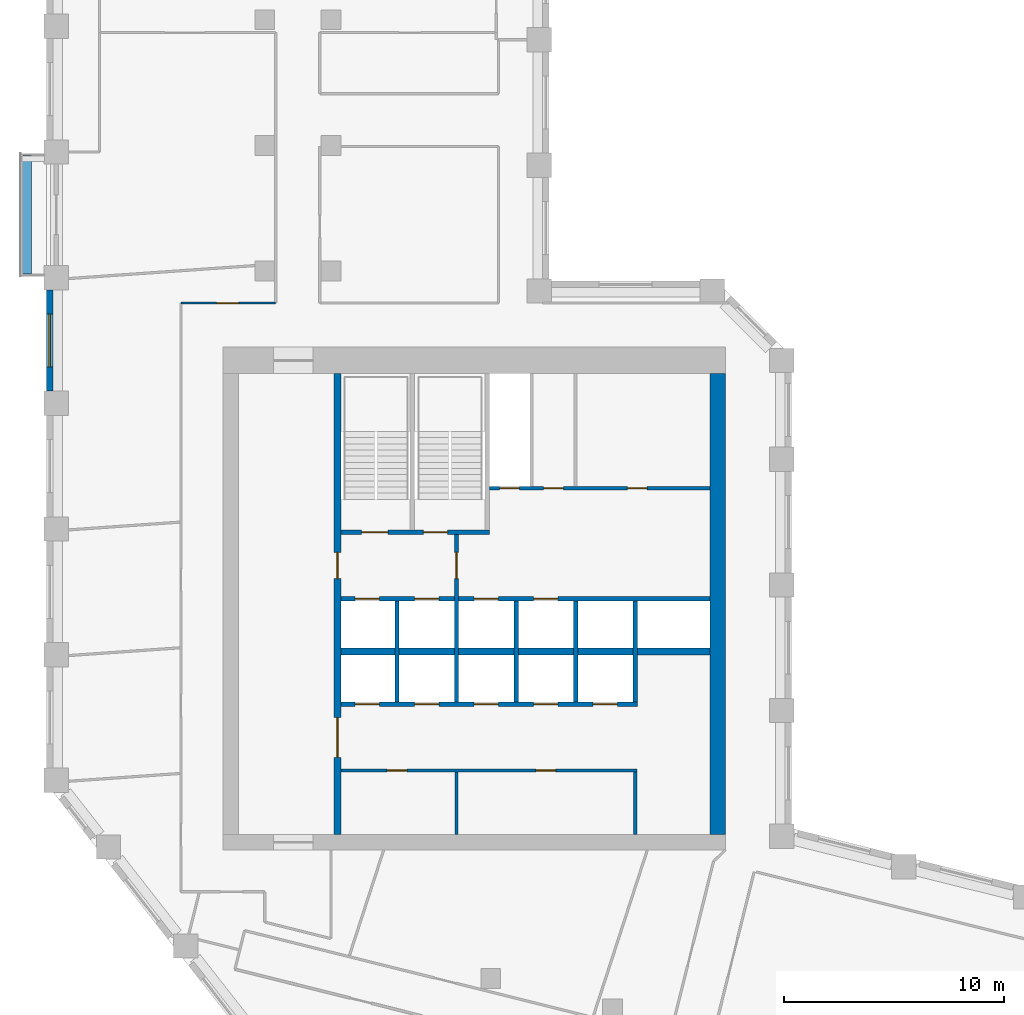
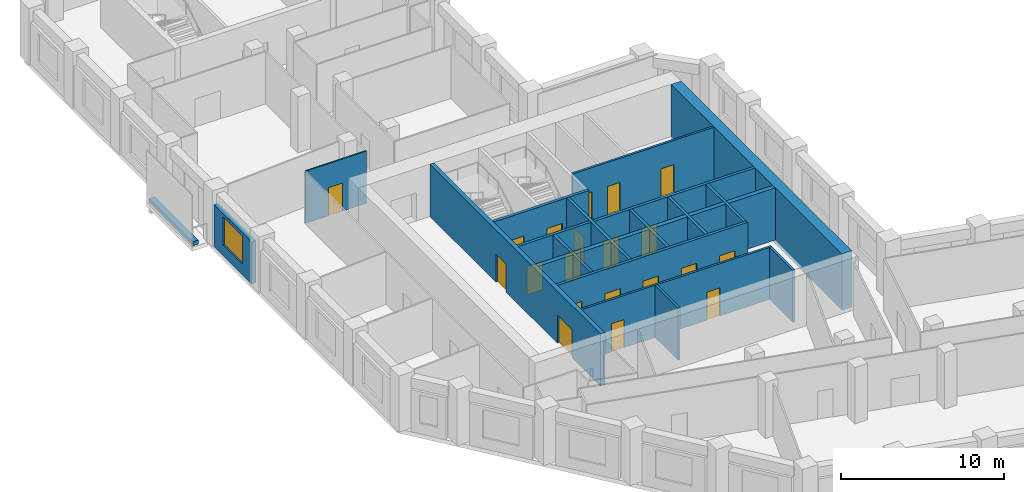
# One storey, part 5 of 10: 20 doors, 18 walls, 1 window, 21 openings.
"""IFC4 building model written with IfcOpenShell, lengths in metres."""

from ifc_helpers import new_model, si_unit, direction, frame, frame_2d, origin, place, context, subcontext, project, spatial, rectangle, extrude, material, layer, layer_set, type_object, element, fill, save


model = new_model("IFC4")

# Units and contexts
model_context = context("Model", 3, precision=1e-05, world=origin(), true_north=direction((0.0, 1.0)))
body_context = subcontext(model_context, "Body", "Model", "MODEL_VIEW")
ifc_project = project(units=[si_unit("LENGTHUNIT", "METRE"), si_unit("AREAUNIT", "SQUARE_METRE"), si_unit("VOLUMEUNIT", "CUBIC_METRE"), si_unit("PLANEANGLEUNIT", "RADIAN"), si_unit("MASSUNIT", "GRAM", prefix="KILO")], contexts=[model_context])

# Site, building, storey
site_placement = place(None, origin())
site = spatial("IfcSite", under=ifc_project, at=site_placement, CompositionType="ELEMENT")
building_placement = place(site_placement, origin())
building = spatial("IfcBuilding", under=site, at=building_placement, Name="Meshkara Civic Tower", CompositionType="ELEMENT")
storey_placement = place(building_placement, frame((0.0, 0.0, 246.60009765625)))
storey = spatial("IfcBuildingStorey", under=building, at=storey_placement, Name="L56", CompositionType="ELEMENT", Elevation=246.60009765625)

# Wall, openings, doors
ifc_material_1 = material(Name="Blockwork", Category="masonry")
ifc_layer_1 = layer(ifc_material_1, 0.14990234375)
ifc_layer_set_1 = layer_set([ifc_layer_1], Name="Core partition 150")
wall_type_1 = type_object("IfcWallType", Name="Core partition 150", PredefinedType="PARTITIONING", material=ifc_layer_set_1)
wall_1_placement = place(storey_placement, frame((13.35009765625, 17.699951171875, 0.0), z_axis=(0.0, 0.0, 1.0), x_axis=(1.0, 0.0, 0.0)))
wall_1 = element("IfcWall", 1, at=wall_1_placement, inside=storey, type_object=wall_type_1, Name="L56-C005", PredefinedType="PARTITIONING", context=body_context, shape_type="SweptSolid", body=[
    extrude(rectangle(XDim=13.4248046875, YDim=0.14990234375, at=frame_2d((6.71240234375, 0.0))), origin(), (0.0, 0.0, 1.0), 3.89990234375),
])
opening_1_placement = place(wall_1_placement, frame((2.10009765625, 0.0, 0.0)))
opening_1 = element("IfcOpeningElement", 2, at=opening_1_placement, cuts=wall_1, Name="Opening L56-K010", PredefinedType="OPENING", context=body_context, shape_type="SweptSolid", body=[
    extrude(rectangle(XDim=0.89990234375, YDim=2.10009765625, at=frame_2d((0.449951171875, 1.050048828125))), frame((0.0, 0.0849609375, 0.0), z_axis=(0.0, -1.0, 0.0), x_axis=(1.0, 0.0, 0.0)), (0.0, 0.0, 1.0), 0.169921875),
])
opening_2_placement = place(wall_1_placement, frame((8.85009765625, 0.0, 0.0)))
opening_2 = element("IfcOpeningElement", 3, at=opening_2_placement, cuts=wall_1, Name="Opening L56-K011", PredefinedType="OPENING", context=body_context, shape_type="SweptSolid", body=[
    extrude(rectangle(XDim=0.89990234375, YDim=2.10009765625, at=frame_2d((0.449951171875, 1.050048828125))), frame((0.0, 0.0849609375, 0.0), z_axis=(0.0, -1.0, 0.0), x_axis=(1.0, 0.0, 0.0)), (0.0, 0.0, 1.0), 0.169921875),
])
ifc_material_2 = material(Name="Timber door leaf in steel frame", Category="steel")
door_type_1 = type_object("IfcDoorType", Name="Core room door 900", OperationType="SINGLE_SWING_LEFT", PredefinedType="DOOR", material=ifc_material_2)
door_1_placement = place(opening_1_placement, origin())
door_1 = element("IfcDoor", 4, at=door_1_placement, inside=storey, type_object=door_type_1, Name="L56-K010", OperationType="SINGLE_SWING_LEFT", OverallHeight=2.10009765625, OverallWidth=0.89990234375, PredefinedType="DOOR", context=body_context, shape_type="SweptSolid", body=[
    extrude(rectangle(XDim=0.89990234375, YDim=2.10009765625, at=frame_2d((0.449951171875, 1.050048828125))), frame((0.0, 0.02490234375, 0.0), z_axis=(0.0, -1.0, 0.0), x_axis=(1.0, 0.0, 0.0)), (0.0, 0.0, 1.0), 0.050048828125),
])
fill(opening_1, door_1)
door_2_placement = place(opening_2_placement, origin())
door_2 = element("IfcDoor", 5, at=door_2_placement, inside=storey, type_object=door_type_1, Name="L56-K011", OperationType="SINGLE_SWING_LEFT", OverallHeight=2.10009765625, OverallWidth=0.89990234375, PredefinedType="DOOR", context=body_context, shape_type="SweptSolid", body=[
    extrude(rectangle(XDim=0.89990234375, YDim=2.10009765625, at=frame_2d((0.449951171875, 1.050048828125))), frame((0.0, 0.02490234375, 0.0), z_axis=(0.0, -1.0, 0.0), x_axis=(1.0, 0.0, 0.0)), (0.0, 0.0, 1.0), 0.050048828125),
])
fill(opening_2, door_2)

wall_2_placement = place(storey_placement, frame((20.10009765625, 30.5, 0.0), z_axis=(0.0, 0.0, 1.0), x_axis=(1.0, 0.0, 0.0)))
wall_2 = element("IfcWall", 6, at=wall_2_placement, inside=storey, type_object=wall_type_1, Name="L56-C010", PredefinedType="PARTITIONING", context=body_context, shape_type="SweptSolid", body=[
    extrude(rectangle(XDim=10.0, YDim=0.14990234375, at=frame_2d((5.0, 0.0))), origin(), (0.0, 0.0, 1.0), 3.89990234375),
])
opening_3_placement = place(wall_2_placement, frame((0.449951171875, 0.0, 0.0)))
opening_3 = element("IfcOpeningElement", 7, at=opening_3_placement, cuts=wall_2, Name="Opening L56-K012", PredefinedType="OPENING", context=body_context, shape_type="SweptSolid", body=[
    extrude(rectangle(XDim=0.89990234375, YDim=2.10009765625, at=frame_2d((0.449951171875, 1.050048828125))), frame((0.0, 0.0849609375, 0.0), z_axis=(0.0, -1.0, 0.0), x_axis=(1.0, 0.0, 0.0)), (0.0, 0.0, 1.0), 0.169921875),
])
opening_4_placement = place(wall_2_placement, frame((2.449951171875, 0.0, 0.0)))
opening_4 = element("IfcOpeningElement", 8, at=opening_4_placement, cuts=wall_2, Name="Opening L56-K013", PredefinedType="OPENING", context=body_context, shape_type="SweptSolid", body=[
    extrude(rectangle(XDim=0.89990234375, YDim=2.10009765625, at=frame_2d((0.449951171875, 1.050048828125))), frame((0.0, 0.0849609375, 0.0), z_axis=(0.0, -1.0, 0.0), x_axis=(1.0, 0.0, 0.0)), (0.0, 0.0, 1.0), 0.169921875),
])
opening_5_placement = place(wall_2_placement, frame((6.25, 0.0, 0.0)))
opening_5 = element("IfcOpeningElement", 9, at=opening_5_placement, cuts=wall_2, Name="Opening L56-K014", PredefinedType="OPENING", context=body_context, shape_type="SweptSolid", body=[
    extrude(rectangle(XDim=0.89990234375, YDim=2.10009765625, at=frame_2d((0.449951171875, 1.050048828125))), frame((0.0, 0.0849609375, 0.0), z_axis=(0.0, -1.0, 0.0), x_axis=(1.0, 0.0, 0.0)), (0.0, 0.0, 1.0), 0.169921875),
])
door_3_placement = place(opening_5_placement, origin())
door_3 = element("IfcDoor", 10, at=door_3_placement, inside=storey, type_object=door_type_1, Name="L56-K014", OperationType="SINGLE_SWING_RIGHT", OverallHeight=2.10009765625, OverallWidth=0.89990234375, PredefinedType="DOOR", context=body_context, shape_type="SweptSolid", body=[
    extrude(rectangle(XDim=0.89990234375, YDim=2.10009765625, at=frame_2d((0.449951171875, 1.050048828125))), frame((0.0, 0.02490234375, 0.0), z_axis=(0.0, -1.0, 0.0), x_axis=(1.0, 0.0, 0.0)), (0.0, 0.0, 1.0), 0.050048828125),
])
fill(opening_5, door_3)
ifc_material_3 = material(Name="Fire-rated door leaf in steel frame", Category="steel")
door_type_2 = type_object("IfcDoorType", Name="Riser door 900", OperationType="SINGLE_SWING_LEFT", PredefinedType="DOOR", material=ifc_material_3)
door_4_placement = place(opening_3_placement, origin())
door_4 = element("IfcDoor", 11, at=door_4_placement, inside=storey, type_object=door_type_2, Name="L56-K012", OperationType="SINGLE_SWING_RIGHT", OverallHeight=2.10009765625, OverallWidth=0.89990234375, PredefinedType="DOOR", context=body_context, shape_type="SweptSolid", body=[
    extrude(rectangle(XDim=0.89990234375, YDim=2.10009765625, at=frame_2d((0.449951171875, 1.050048828125))), frame((0.0, 0.02490234375, 0.0), z_axis=(0.0, -1.0, 0.0), x_axis=(1.0, 0.0, 0.0)), (0.0, 0.0, 1.0), 0.050048828125),
])
fill(opening_3, door_4)
ifc_material_4 = material(Name="Timber door leaf in steel frame", Category="steel")
door_type_3 = type_object("IfcDoorType", Name="WC door 900", OperationType="SINGLE_SWING_LEFT", PredefinedType="DOOR", material=ifc_material_4)
door_5_placement = place(opening_4_placement, origin())
door_5 = element("IfcDoor", 12, at=door_5_placement, inside=storey, type_object=door_type_3, Name="L56-K013", OperationType="SINGLE_SWING_LEFT", OverallHeight=2.10009765625, OverallWidth=0.89990234375, PredefinedType="DOOR", context=body_context, shape_type="SweptSolid", body=[
    extrude(rectangle(XDim=0.89990234375, YDim=2.10009765625, at=frame_2d((0.449951171875, 1.050048828125))), frame((0.0, 0.02490234375, 0.0), z_axis=(0.0, -1.0, 0.0), x_axis=(1.0, 0.0, 0.0)), (0.0, 0.0, 1.0), 0.050048828125),
])
fill(opening_4, door_5)

# Walls
for number, where, z_axis, x_axis, name in (
    (13, (18.60009765625, 14.800048828125, 0.0), (0.0, 0.0, 1.0), (0.0, 1.0, 0.0), "L56-C014"),
    (14, (26.699951171875, 14.800048828125, 0.0), (0.0, 0.0, 1.0), (0.0, 1.0, 0.0), "L56-C021"),
):
    element("IfcWall", number, at=place(storey_placement, frame(where, z_axis=z_axis, x_axis=x_axis)), inside=storey, type_object=wall_type_1, Name=name, PredefinedType="PARTITIONING", context=body_context, shape_type="SweptSolid", body=[
        extrude(rectangle(XDim=2.824951171875, YDim=0.14990234375, at=frame_2d((1.41259765625, 0.0))), origin(), (0.0, 0.0, 1.0), 3.89990234375),
    ])
ifc_material_5 = material(Name="Concrete C60", Category="concrete")
ifc_layer_2 = layer(ifc_material_5, 0.699951171875)
ifc_layer_set_2 = layer_set([ifc_layer_2], Name="Core ring wall 700 C60")
wall_type_2 = type_object("IfcWallType", Name="Core ring wall 700 C60", PredefinedType="SHEAR", material=ifc_layer_set_2)
wall_3_placement = place(storey_placement, frame((30.449951171875, 14.800048828125, -0.300048828125), z_axis=(0.0, 0.0, 1.0), x_axis=(0.0, 1.0, 0.0)))
element("IfcWall", 15, at=wall_3_placement, inside=storey, type_object=wall_type_2, Name="L56-C004", PredefinedType="SHEAR", context=body_context, shape_type="SweptSolid", body=[
    extrude(rectangle(XDim=20.89990234375, YDim=0.699951171875, at=frame_2d((10.449951171875, 0.0))), origin(), (0.0, 0.0, 1.0), 4.199951171875),
])
ifc_material_6 = material(Name="Concrete C60", Category="concrete")
ifc_layer_3 = layer(ifc_material_6, 0.300048828125)
ifc_layer_set_3 = layer_set([ifc_layer_3], Name="Core shear wall 300 C60")
wall_type_3 = type_object("IfcWallType", Name="Core shear wall 300 C60", PredefinedType="SHEAR", material=ifc_layer_set_3)
wall_4_placement = place(storey_placement, frame((13.35009765625, 23.10009765625, 0.0), z_axis=(0.0, 0.0, 1.0), x_axis=(1.0, 0.0, 0.0)))
element("IfcWall", 16, at=wall_4_placement, inside=storey, type_object=wall_type_3, Name="L56-C007", PredefinedType="SHEAR", context=body_context, shape_type="SweptSolid", body=[
    extrude(rectangle(XDim=16.75, YDim=0.300048828125, at=frame_2d((8.375, 0.0))), origin(), (0.0, 0.0, 1.0), 3.89990234375),
])

# Wall, openings, doors
wall_5_placement = place(storey_placement, frame((13.199951171875, 14.800048828125, 0.0), z_axis=(0.0, 0.0, 1.0), x_axis=(0.0, 1.0, 0.0)))
wall_5 = element("IfcWall", 17, at=wall_5_placement, inside=storey, type_object=wall_type_3, Name="L56-C011", PredefinedType="SHEAR", context=body_context, shape_type="SweptSolid", body=[
    extrude(rectangle(XDim=20.89990234375, YDim=0.300048828125, at=frame_2d((10.449951171875, 0.0))), origin(), (0.0, 0.0, 1.0), 3.89990234375),
])
opening_6_placement = place(wall_5_placement, frame((3.5, 0.0, 0.0)))
opening_6 = element("IfcOpeningElement", 18, at=opening_6_placement, cuts=wall_5, Name="Opening L56-K017", PredefinedType="OPENING", context=body_context, shape_type="SweptSolid", body=[
    extrude(rectangle(XDim=1.800048828125, YDim=2.10009765625, at=frame_2d((0.89990234375, 1.050048828125))), frame((0.0, 0.159912109375, 0.0), z_axis=(0.0, -1.0, 0.0), x_axis=(1.0, 0.0, 0.0)), (0.0, 0.0, 1.0), 0.320068359375),
])
opening_7_placement = place(wall_5_placement, frame((11.60009765625, 0.0, 0.0)))
opening_7 = element("IfcOpeningElement", 19, at=opening_7_placement, cuts=wall_5, Name="Opening L56-K018", PredefinedType="OPENING", context=body_context, shape_type="SweptSolid", body=[
    extrude(rectangle(XDim=1.199951171875, YDim=2.10009765625, at=frame_2d((0.60009765625, 1.050048828125))), frame((0.0, 0.159912109375, 0.0), z_axis=(0.0, -1.0, 0.0), x_axis=(1.0, 0.0, 0.0)), (0.0, 0.0, 1.0), 0.320068359375),
])
ifc_material_7 = material(Name="Fire-rated door leaf in steel frame", Category="steel")
door_type_4 = type_object("IfcDoorType", Name="Core double door 1800 EI 60", OperationType="DOUBLE_DOOR_SINGLE_SWING", PredefinedType="DOOR", material=ifc_material_7)
door_6_placement = place(opening_6_placement, origin())
door_6 = element("IfcDoor", 20, at=door_6_placement, inside=storey, type_object=door_type_4, Name="L56-K017", OperationType="DOUBLE_DOOR_SINGLE_SWING", OverallHeight=2.10009765625, OverallWidth=1.800048828125, PredefinedType="DOOR", context=body_context, shape_type="SweptSolid", body=[
    extrude(rectangle(XDim=1.800048828125, YDim=2.10009765625, at=frame_2d((0.89990234375, 1.050048828125))), frame((0.0, 0.02490234375, 0.0), z_axis=(0.0, -1.0, 0.0), x_axis=(1.0, 0.0, 0.0)), (0.0, 0.0, 1.0), 0.050048828125),
])
fill(opening_6, door_6)
ifc_material_8 = material(Name="Fire-rated door leaf in steel frame", Category="steel")
door_type_5 = type_object("IfcDoorType", Name="Fire-fighting lobby door 1200 EI 120", OperationType="SINGLE_SWING_LEFT", PredefinedType="DOOR", material=ifc_material_8)
door_7_placement = place(opening_7_placement, origin())
door_7 = element("IfcDoor", 21, at=door_7_placement, inside=storey, type_object=door_type_5, Name="L56-K018", OperationType="SINGLE_SWING_LEFT", OverallHeight=2.10009765625, OverallWidth=1.199951171875, PredefinedType="DOOR", context=body_context, shape_type="SweptSolid", body=[
    extrude(rectangle(XDim=1.199951171875, YDim=2.10009765625, at=frame_2d((0.60009765625, 1.050048828125))), frame((0.0, 0.02490234375, 0.0), z_axis=(0.0, -1.0, 0.0), x_axis=(1.0, 0.0, 0.0)), (0.0, 0.0, 1.0), 0.050048828125),
])
fill(opening_7, door_7)

# Wall, opening, door
ifc_material_9 = material(Name="Corridor wall 100")
ifc_layer_4 = layer(ifc_material_9, 0.10009765625)
ifc_layer_set_4 = layer_set([ifc_layer_4], Name="Corridor wall 100")
wall_type_4 = type_object("IfcWallType", Name="Corridor wall 100", PredefinedType="PARTITIONING", material=ifc_layer_set_4)
wall_6_placement = place(storey_placement, frame((10.39990234375, 38.89990234375, 0.0), z_axis=(0.0, 0.0, 1.0), x_axis=(-1.0, 0.0, 0.0)))
wall_6 = element("IfcWall", 22, at=wall_6_placement, inside=storey, type_object=wall_type_4, Name="L56-W011", PredefinedType="PARTITIONING", context=body_context, shape_type="SweptSolid", body=[
    extrude(rectangle(XDim=4.2998046875, YDim=0.10009765625, at=frame_2d((2.14990234375, 0.0))), origin(), (0.0, 0.0, 1.0), 3.89990234375),
])
opening_8_placement = place(wall_6_placement, frame((1.679931640625, 0.0, 0.0)))
opening_8 = element("IfcOpeningElement", 23, at=opening_8_placement, cuts=wall_6, Name="Opening L56-D017", PredefinedType="OPENING", context=body_context, shape_type="SweptSolid", body=[
    extrude(rectangle(XDim=1.0, YDim=2.10009765625, at=frame_2d((0.5, 1.050048828125))), frame((0.0, 0.06005859375, 0.0), z_axis=(0.0, -1.0, 0.0), x_axis=(1.0, 0.0, 0.0)), (0.0, 0.0, 1.0), 0.1201171875),
])
ifc_material_10 = material(Name="Door 1000 x 2100")
door_type_6 = type_object("IfcDoorType", Name="Door 1000 x 2100", OperationType="SINGLE_SWING_LEFT", PredefinedType="DOOR", material=ifc_material_10)
door_8_placement = place(opening_8_placement, origin())
door_8 = element("IfcDoor", 24, at=door_8_placement, inside=storey, type_object=door_type_6, Name="L56-D017", OperationType="SINGLE_SWING_LEFT", OverallHeight=2.10009765625, OverallWidth=1.0, PredefinedType="DOOR", context=body_context, shape_type="SweptSolid", body=[
    extrude(rectangle(XDim=1.0, YDim=2.10009765625, at=frame_2d((0.5, 1.050048828125))), frame((0.0, 0.02490234375, 0.0), z_axis=(0.0, -1.0, 0.0), x_axis=(1.0, 0.0, 0.0)), (0.0, 0.0, 1.0), 0.050048828125),
])
fill(opening_8, door_8)

# Wall, opening, window
ifc_material_11 = material(Name="Insulated infill panel with bronze anodised aluminium cladding", Category="aluminium")
ifc_layer_5 = layer(ifc_material_11, 0.300048828125)
ifc_layer_set_5 = layer_set([ifc_layer_5], Name="EXTERNAL INFILL WALL 300")
wall_type_5 = type_object("IfcWallType", Name="EXTERNAL INFILL WALL 300", PredefinedType="SOLIDWALL", material=ifc_layer_set_5)
wall_7_placement = place(storey_placement, frame((0.14990234375, 39.5048828125, 0.0), z_axis=(0.0, 0.0, 1.0), x_axis=(0.0, -1.0, 0.0)))
wall_7 = element("IfcWall", 25, at=wall_7_placement, inside=storey, type_object=wall_type_5, Name="External wall", PredefinedType="SOLIDWALL", context=body_context, shape_type="SweptSolid", body=[
    extrude(rectangle(XDim=4.599853515625, YDim=0.300048828125, at=frame_2d((2.2998046875, 0.0))), origin(), (0.0, 0.0, 1.0), 3.14990234375),
])
opening_9_placement = place(wall_7_placement, frame((1.10009765625, 0.0, 0.800048828125)))
opening_9 = element("IfcOpeningElement", 26, at=opening_9_placement, cuts=wall_7, Name="Opening W7", PredefinedType="OPENING", context=body_context, shape_type="SweptSolid", body=[
    extrude(rectangle(XDim=2.39990234375, YDim=2.10009765625, at=frame_2d((1.199951171875, 1.050048828125))), frame((0.0, 0.159912109375, 0.0), z_axis=(0.0, -1.0, 0.0), x_axis=(1.0, 0.0, 0.0)), (0.0, 0.0, 1.0), 0.320068359375),
])
ifc_material_12 = material(Name="Tinted double glazing", Category="glass")
window_type = type_object("IfcWindowType", Name="WINDOW 2400x2100", PartitioningType="DOUBLE_PANEL_VERTICAL", PredefinedType="WINDOW", material=ifc_material_12)
window_placement = place(opening_9_placement, origin())
window = element("IfcWindow", 27, at=window_placement, inside=storey, type_object=window_type, Name="Window", OverallHeight=2.10009765625, OverallWidth=2.39990234375, PartitioningType="DOUBLE_PANEL_VERTICAL", PredefinedType="WINDOW", context=body_context, shape_type="SweptSolid", body=[
    extrude(rectangle(XDim=2.39990234375, YDim=2.10009765625, at=frame_2d((1.199951171875, 1.050048828125))), frame((0.0, 0.030029296875, 0.0), z_axis=(0.0, -1.0, 0.0), x_axis=(1.0, 0.0, 0.0)), (0.0, 0.0, 1.0), 0.06005859375),
])
fill(opening_9, window)

# Wall
ifc_material_13 = material(Name="Concrete C40", Category="concrete")
ifc_layer_6 = layer(ifc_material_13, 0.39990234375)
ifc_layer_set_6 = layer_set([ifc_layer_6], Name="PLANTER TRAY")
wall_type_6 = type_object("IfcWallType", Name="PLANTER TRAY", PredefinedType="SOLIDWALL", material=ifc_layer_set_6)
wall_8_placement = place(storey_placement, frame((-0.8798828125, 45.5849609375, 0.0), z_axis=(0.0, 0.0, 1.0), x_axis=(0.0, -1.0, 0.0)))
element("IfcWall", 28, at=wall_8_placement, inside=storey, type_object=wall_type_6, Name="Planter", PredefinedType="SOLIDWALL", context=body_context, shape_type="SweptSolid", body=[
    extrude(rectangle(XDim=5.35986328125, YDim=0.39990234375, at=frame_2d((2.679931640625, 0.0))), origin(), (0.0, 0.0, 1.0), 0.2998046875),
])

# Wall, openings, doors
ifc_material_14 = material(Name="Concrete C40/50", Category="concrete")
ifc_layer_7 = layer(ifc_material_14, 0.199951171875)
ifc_layer_set_7 = layer_set([ifc_layer_7], Name="Shaft wall 200 C40/50")
wall_type_7 = type_object("IfcWallType", Name="Shaft wall 200 C40/50", PredefinedType="SOLIDWALL", material=ifc_layer_set_7)
wall_9_placement = place(storey_placement, frame((13.35009765625, 20.699951171875, 0.0), z_axis=(0.0, 0.0, 1.0), x_axis=(1.0, 0.0, 0.0)))
wall_9 = element("IfcWall", 29, at=wall_9_placement, inside=storey, type_object=wall_type_7, Name="L56-C006", PredefinedType="SOLIDWALL", context=body_context, shape_type="SweptSolid", body=[
    extrude(rectangle(XDim=13.449951171875, YDim=0.199951171875, at=frame_2d((6.72509765625, 0.0))), origin(), (0.0, 0.0, 1.0), 3.89990234375),
])
opening_10_placement = place(wall_9_placement, frame((0.64990234375, 0.0, 0.0)))
opening_10 = element("IfcOpeningElement", 30, at=opening_10_placement, cuts=wall_9, Name="Opening L56-K001", PredefinedType="OPENING", context=body_context, shape_type="SweptSolid", body=[
    extrude(rectangle(XDim=1.10009765625, YDim=2.10009765625, at=frame_2d((0.550048828125, 1.050048828125))), frame((0.0, 0.10986328125, 0.0), z_axis=(0.0, -1.0, 0.0), x_axis=(1.0, 0.0, 0.0)), (0.0, 0.0, 1.0), 0.219970703125),
])
opening_11_placement = place(wall_9_placement, frame((3.35009765625, 0.0, 0.0)))
opening_11 = element("IfcOpeningElement", 31, at=opening_11_placement, cuts=wall_9, Name="Opening L56-K002", PredefinedType="OPENING", context=body_context, shape_type="SweptSolid", body=[
    extrude(rectangle(XDim=1.10009765625, YDim=2.10009765625, at=frame_2d((0.550048828125, 1.050048828125))), frame((0.0, 0.10986328125, 0.0), z_axis=(0.0, -1.0, 0.0), x_axis=(1.0, 0.0, 0.0)), (0.0, 0.0, 1.0), 0.219970703125),
])
opening_12_placement = place(wall_9_placement, frame((6.050048828125, 0.0, 0.0)))
opening_12 = element("IfcOpeningElement", 32, at=opening_12_placement, cuts=wall_9, Name="Opening L56-K003", PredefinedType="OPENING", context=body_context, shape_type="SweptSolid", body=[
    extrude(rectangle(XDim=1.10009765625, YDim=2.10009765625, at=frame_2d((0.550048828125, 1.050048828125))), frame((0.0, 0.10986328125, 0.0), z_axis=(0.0, -1.0, 0.0), x_axis=(1.0, 0.0, 0.0)), (0.0, 0.0, 1.0), 0.219970703125),
])
opening_13_placement = place(wall_9_placement, frame((8.75, 0.0, 0.0)))
opening_13 = element("IfcOpeningElement", 33, at=opening_13_placement, cuts=wall_9, Name="Opening L56-K004", PredefinedType="OPENING", context=body_context, shape_type="SweptSolid", body=[
    extrude(rectangle(XDim=1.10009765625, YDim=2.10009765625, at=frame_2d((0.550048828125, 1.050048828125))), frame((0.0, 0.10986328125, 0.0), z_axis=(0.0, -1.0, 0.0), x_axis=(1.0, 0.0, 0.0)), (0.0, 0.0, 1.0), 0.219970703125),
])
opening_14_placement = place(wall_9_placement, frame((11.449951171875, 0.0, 0.0)))
opening_14 = element("IfcOpeningElement", 34, at=opening_14_placement, cuts=wall_9, Name="Opening L56-K005", PredefinedType="OPENING", context=body_context, shape_type="SweptSolid", body=[
    extrude(rectangle(XDim=1.10009765625, YDim=2.10009765625, at=frame_2d((0.550048828125, 1.050048828125))), frame((0.0, 0.10986328125, 0.0), z_axis=(0.0, -1.0, 0.0), x_axis=(1.0, 0.0, 0.0)), (0.0, 0.0, 1.0), 0.219970703125),
])
ifc_material_15 = material(Name="Stainless steel landing door", Category="steel")
door_type_7 = type_object("IfcDoorType", Name="Lift landing door 1100", OperationType="SLIDING_TO_LEFT", PredefinedType="DOOR", material=ifc_material_15)
door_9_placement = place(opening_10_placement, origin())
door_9 = element("IfcDoor", 35, at=door_9_placement, inside=storey, type_object=door_type_7, Name="L56-K001", OperationType="SLIDING_TO_LEFT", OverallHeight=2.10009765625, OverallWidth=1.10009765625, PredefinedType="DOOR", context=body_context, shape_type="SweptSolid", body=[
    extrude(rectangle(XDim=1.10009765625, YDim=2.10009765625, at=frame_2d((0.550048828125, 1.050048828125))), frame((0.0, 0.02490234375, 0.0), z_axis=(0.0, -1.0, 0.0), x_axis=(1.0, 0.0, 0.0)), (0.0, 0.0, 1.0), 0.050048828125),
])
fill(opening_10, door_9)
door_10_placement = place(opening_11_placement, origin())
door_10 = element("IfcDoor", 36, at=door_10_placement, inside=storey, type_object=door_type_7, Name="L56-K002", OperationType="SLIDING_TO_LEFT", OverallHeight=2.10009765625, OverallWidth=1.10009765625, PredefinedType="DOOR", context=body_context, shape_type="SweptSolid", body=[
    extrude(rectangle(XDim=1.10009765625, YDim=2.10009765625, at=frame_2d((0.550048828125, 1.050048828125))), frame((0.0, 0.02490234375, 0.0), z_axis=(0.0, -1.0, 0.0), x_axis=(1.0, 0.0, 0.0)), (0.0, 0.0, 1.0), 0.050048828125),
])
fill(opening_11, door_10)
door_11_placement = place(opening_12_placement, origin())
door_11 = element("IfcDoor", 37, at=door_11_placement, inside=storey, type_object=door_type_7, Name="L56-K003", OperationType="SLIDING_TO_LEFT", OverallHeight=2.10009765625, OverallWidth=1.10009765625, PredefinedType="DOOR", context=body_context, shape_type="SweptSolid", body=[
    extrude(rectangle(XDim=1.10009765625, YDim=2.10009765625, at=frame_2d((0.550048828125, 1.050048828125))), frame((0.0, 0.02490234375, 0.0), z_axis=(0.0, -1.0, 0.0), x_axis=(1.0, 0.0, 0.0)), (0.0, 0.0, 1.0), 0.050048828125),
])
fill(opening_12, door_11)
door_12_placement = place(opening_13_placement, origin())
door_12 = element("IfcDoor", 38, at=door_12_placement, inside=storey, type_object=door_type_7, Name="L56-K004", OperationType="SLIDING_TO_LEFT", OverallHeight=2.10009765625, OverallWidth=1.10009765625, PredefinedType="DOOR", context=body_context, shape_type="SweptSolid", body=[
    extrude(rectangle(XDim=1.10009765625, YDim=2.10009765625, at=frame_2d((0.550048828125, 1.050048828125))), frame((0.0, 0.02490234375, 0.0), z_axis=(0.0, -1.0, 0.0), x_axis=(1.0, 0.0, 0.0)), (0.0, 0.0, 1.0), 0.050048828125),
])
fill(opening_13, door_12)
door_13_placement = place(opening_14_placement, origin())
door_13 = element("IfcDoor", 39, at=door_13_placement, inside=storey, type_object=door_type_7, Name="L56-K005", OperationType="SLIDING_TO_LEFT", OverallHeight=2.10009765625, OverallWidth=1.10009765625, PredefinedType="DOOR", context=body_context, shape_type="SweptSolid", body=[
    extrude(rectangle(XDim=1.10009765625, YDim=2.10009765625, at=frame_2d((0.550048828125, 1.050048828125))), frame((0.0, 0.02490234375, 0.0), z_axis=(0.0, -1.0, 0.0), x_axis=(1.0, 0.0, 0.0)), (0.0, 0.0, 1.0), 0.050048828125),
])
fill(opening_14, door_13)

wall_10_placement = place(storey_placement, frame((13.35009765625, 25.5, 0.0), z_axis=(0.0, 0.0, 1.0), x_axis=(1.0, 0.0, 0.0)))
wall_10 = element("IfcWall", 40, at=wall_10_placement, inside=storey, type_object=wall_type_7, Name="L56-C008", PredefinedType="SOLIDWALL", context=body_context, shape_type="SweptSolid", body=[
    extrude(rectangle(XDim=16.75, YDim=0.199951171875, at=frame_2d((8.375, 0.0))), origin(), (0.0, 0.0, 1.0), 3.89990234375),
])
opening_15_placement = place(wall_10_placement, frame((0.64990234375, 0.0, 0.0)))
opening_15 = element("IfcOpeningElement", 41, at=opening_15_placement, cuts=wall_10, Name="Opening L56-K006", PredefinedType="OPENING", context=body_context, shape_type="SweptSolid", body=[
    extrude(rectangle(XDim=1.10009765625, YDim=2.10009765625, at=frame_2d((0.550048828125, 1.050048828125))), frame((0.0, 0.10986328125, 0.0), z_axis=(0.0, -1.0, 0.0), x_axis=(1.0, 0.0, 0.0)), (0.0, 0.0, 1.0), 0.219970703125),
])
opening_16_placement = place(wall_10_placement, frame((3.35009765625, 0.0, 0.0)))
opening_16 = element("IfcOpeningElement", 42, at=opening_16_placement, cuts=wall_10, Name="Opening L56-K007", PredefinedType="OPENING", context=body_context, shape_type="SweptSolid", body=[
    extrude(rectangle(XDim=1.10009765625, YDim=2.10009765625, at=frame_2d((0.550048828125, 1.050048828125))), frame((0.0, 0.10986328125, 0.0), z_axis=(0.0, -1.0, 0.0), x_axis=(1.0, 0.0, 0.0)), (0.0, 0.0, 1.0), 0.219970703125),
])
opening_17_placement = place(wall_10_placement, frame((6.050048828125, 0.0, 0.0)))
opening_17 = element("IfcOpeningElement", 43, at=opening_17_placement, cuts=wall_10, Name="Opening L56-K008", PredefinedType="OPENING", context=body_context, shape_type="SweptSolid", body=[
    extrude(rectangle(XDim=1.10009765625, YDim=2.10009765625, at=frame_2d((0.550048828125, 1.050048828125))), frame((0.0, 0.10986328125, 0.0), z_axis=(0.0, -1.0, 0.0), x_axis=(1.0, 0.0, 0.0)), (0.0, 0.0, 1.0), 0.219970703125),
])
opening_18_placement = place(wall_10_placement, frame((8.75, 0.0, 0.0)))
opening_18 = element("IfcOpeningElement", 44, at=opening_18_placement, cuts=wall_10, Name="Opening L56-K009", PredefinedType="OPENING", context=body_context, shape_type="SweptSolid", body=[
    extrude(rectangle(XDim=1.10009765625, YDim=2.10009765625, at=frame_2d((0.550048828125, 1.050048828125))), frame((0.0, 0.10986328125, 0.0), z_axis=(0.0, -1.0, 0.0), x_axis=(1.0, 0.0, 0.0)), (0.0, 0.0, 1.0), 0.219970703125),
])
door_14_placement = place(opening_15_placement, origin())
door_14 = element("IfcDoor", 45, at=door_14_placement, inside=storey, type_object=door_type_7, Name="L56-K006", OperationType="SLIDING_TO_LEFT", OverallHeight=2.10009765625, OverallWidth=1.10009765625, PredefinedType="DOOR", context=body_context, shape_type="SweptSolid", body=[
    extrude(rectangle(XDim=1.10009765625, YDim=2.10009765625, at=frame_2d((0.550048828125, 1.050048828125))), frame((0.0, 0.02490234375, 0.0), z_axis=(0.0, -1.0, 0.0), x_axis=(1.0, 0.0, 0.0)), (0.0, 0.0, 1.0), 0.050048828125),
])
fill(opening_15, door_14)
door_15_placement = place(opening_16_placement, origin())
door_15 = element("IfcDoor", 46, at=door_15_placement, inside=storey, type_object=door_type_7, Name="L56-K007", OperationType="SLIDING_TO_LEFT", OverallHeight=2.10009765625, OverallWidth=1.10009765625, PredefinedType="DOOR", context=body_context, shape_type="SweptSolid", body=[
    extrude(rectangle(XDim=1.10009765625, YDim=2.10009765625, at=frame_2d((0.550048828125, 1.050048828125))), frame((0.0, 0.02490234375, 0.0), z_axis=(0.0, -1.0, 0.0), x_axis=(1.0, 0.0, 0.0)), (0.0, 0.0, 1.0), 0.050048828125),
])
fill(opening_16, door_15)
door_16_placement = place(opening_17_placement, origin())
door_16 = element("IfcDoor", 47, at=door_16_placement, inside=storey, type_object=door_type_7, Name="L56-K008", OperationType="SLIDING_TO_LEFT", OverallHeight=2.10009765625, OverallWidth=1.10009765625, PredefinedType="DOOR", context=body_context, shape_type="SweptSolid", body=[
    extrude(rectangle(XDim=1.10009765625, YDim=2.10009765625, at=frame_2d((0.550048828125, 1.050048828125))), frame((0.0, 0.02490234375, 0.0), z_axis=(0.0, -1.0, 0.0), x_axis=(1.0, 0.0, 0.0)), (0.0, 0.0, 1.0), 0.050048828125),
])
fill(opening_17, door_16)
door_17_placement = place(opening_18_placement, origin())
door_17 = element("IfcDoor", 48, at=door_17_placement, inside=storey, type_object=door_type_7, Name="L56-K009", OperationType="SLIDING_TO_LEFT", OverallHeight=2.10009765625, OverallWidth=1.10009765625, PredefinedType="DOOR", context=body_context, shape_type="SweptSolid", body=[
    extrude(rectangle(XDim=1.10009765625, YDim=2.10009765625, at=frame_2d((0.550048828125, 1.050048828125))), frame((0.0, 0.02490234375, 0.0), z_axis=(0.0, -1.0, 0.0), x_axis=(1.0, 0.0, 0.0)), (0.0, 0.0, 1.0), 0.050048828125),
])
fill(opening_18, door_17)

# Wall
wall_11_placement = place(storey_placement, frame((15.89990234375, 20.800048828125, 0.0), z_axis=(0.0, 0.0, 1.0), x_axis=(0.0, 1.0, 0.0)))
element("IfcWall", 49, at=wall_11_placement, inside=storey, type_object=wall_type_7, Name="L56-C012", PredefinedType="SOLIDWALL", context=body_context, shape_type="SweptSolid", body=[
    extrude(rectangle(XDim=4.599853515625, YDim=0.199951171875, at=frame_2d((2.2998046875, 0.0))), origin(), (0.0, 0.0, 1.0), 3.89990234375),
])

# Wall, opening, door
wall_12_placement = place(storey_placement, frame((18.60009765625, 20.800048828125, 0.0), z_axis=(0.0, 0.0, 1.0), x_axis=(0.0, 1.0, 0.0)))
wall_12 = element("IfcWall", 50, at=wall_12_placement, inside=storey, type_object=wall_type_7, Name="L56-C015", PredefinedType="SOLIDWALL", context=body_context, shape_type="SweptSolid", body=[
    extrude(rectangle(XDim=7.599853515625, YDim=0.199951171875, at=frame_2d((3.7998046875, 0.0))), origin(), (0.0, 0.0, 1.0), 3.89990234375),
])
opening_19_placement = place(wall_12_placement, frame((5.60009765625, 0.0, 0.0)))
opening_19 = element("IfcOpeningElement", 51, at=opening_19_placement, cuts=wall_12, Name="Opening L56-K019", PredefinedType="OPENING", context=body_context, shape_type="SweptSolid", body=[
    extrude(rectangle(XDim=1.199951171875, YDim=2.10009765625, at=frame_2d((0.60009765625, 1.050048828125))), frame((0.0, 0.10986328125, 0.0), z_axis=(0.0, -1.0, 0.0), x_axis=(1.0, 0.0, 0.0)), (0.0, 0.0, 1.0), 0.219970703125),
])
door_18_placement = place(opening_19_placement, origin())
door_18 = element("IfcDoor", 52, at=door_18_placement, inside=storey, type_object=door_type_5, Name="L56-K019", OperationType="SINGLE_SWING_RIGHT", OverallHeight=2.10009765625, OverallWidth=1.199951171875, PredefinedType="DOOR", context=body_context, shape_type="SweptSolid", body=[
    extrude(rectangle(XDim=1.199951171875, YDim=2.10009765625, at=frame_2d((0.60009765625, 1.050048828125))), frame((0.0, 0.02490234375, 0.0), z_axis=(0.0, -1.0, 0.0), x_axis=(1.0, 0.0, 0.0)), (0.0, 0.0, 1.0), 0.050048828125),
])
fill(opening_19, door_18)

# Walls
for number, where, z_axis, x_axis, name in (
    (53, (21.300048828125, 20.800048828125, 0.0), (0.0, 0.0, 1.0), (0.0, 1.0, 0.0), "L56-C017"),
    (54, (24.0, 20.800048828125, 0.0), (0.0, 0.0, 1.0), (0.0, 1.0, 0.0), "L56-C019"),
    (55, (26.699951171875, 20.800048828125, 0.0), (0.0, 0.0, 1.0), (0.0, 1.0, 0.0), "L56-C022"),
):
    element("IfcWall", number, at=place(storey_placement, frame(where, z_axis=z_axis, x_axis=x_axis)), inside=storey, type_object=wall_type_7, Name=name, PredefinedType="SOLIDWALL", context=body_context, shape_type="SweptSolid", body=[
        extrude(rectangle(XDim=4.599853515625, YDim=0.199951171875, at=frame_2d((2.2998046875, 0.0))), origin(), (0.0, 0.0, 1.0), 3.89990234375),
    ])

# Wall, openings, doors
ifc_material_16 = material(Name="Concrete C40/50", Category="concrete")
ifc_layer_8 = layer(ifc_material_16, 0.199951171875)
ifc_layer_set_8 = layer_set([ifc_layer_8], Name="Stair enclosure wall 200 C40/50")
wall_type_8 = type_object("IfcWallType", Name="Stair enclosure wall 200 C40/50", PredefinedType="SOLIDWALL", material=ifc_layer_set_8)
wall_13_placement = place(storey_placement, frame((13.35009765625, 28.5, 0.0), z_axis=(0.0, 0.0, 1.0), x_axis=(1.0, 0.0, 0.0)))
wall_13 = element("IfcWall", 56, at=wall_13_placement, inside=storey, type_object=wall_type_8, Name="L56-C009", PredefinedType="SOLIDWALL", context=body_context, shape_type="SweptSolid", body=[
    extrude(rectangle(XDim=6.75, YDim=0.199951171875, at=frame_2d((3.375, 0.0))), origin(), (0.0, 0.0, 1.0), 3.89990234375),
])
opening_20_placement = place(wall_13_placement, frame((0.949951171875, 0.0, 0.0)))
opening_20 = element("IfcOpeningElement", 57, at=opening_20_placement, cuts=wall_13, Name="Opening L56-K015", PredefinedType="OPENING", context=body_context, shape_type="SweptSolid", body=[
    extrude(rectangle(XDim=1.199951171875, YDim=2.10009765625, at=frame_2d((0.60009765625, 1.050048828125))), frame((0.0, 0.10986328125, 0.0), z_axis=(0.0, -1.0, 0.0), x_axis=(1.0, 0.0, 0.0)), (0.0, 0.0, 1.0), 0.219970703125),
])
opening_21_placement = place(wall_13_placement, frame((3.75, 0.0, 0.0)))
opening_21 = element("IfcOpeningElement", 58, at=opening_21_placement, cuts=wall_13, Name="Opening L56-K016", PredefinedType="OPENING", context=body_context, shape_type="SweptSolid", body=[
    extrude(rectangle(XDim=1.10009765625, YDim=2.10009765625, at=frame_2d((0.550048828125, 1.050048828125))), frame((0.0, 0.10986328125, 0.0), z_axis=(0.0, -1.0, 0.0), x_axis=(1.0, 0.0, 0.0)), (0.0, 0.0, 1.0), 0.219970703125),
])
ifc_material_17 = material(Name="Fire-rated door leaf in steel frame", Category="steel")
door_type_8 = type_object("IfcDoorType", Name="Stair door 1100 EI 120", OperationType="SINGLE_SWING_LEFT", PredefinedType="DOOR", material=ifc_material_17)
door_19_placement = place(opening_21_placement, origin())
door_19 = element("IfcDoor", 59, at=door_19_placement, inside=storey, type_object=door_type_8, Name="L56-K016", OperationType="SINGLE_SWING_LEFT", OverallHeight=2.10009765625, OverallWidth=1.10009765625, PredefinedType="DOOR", context=body_context, shape_type="SweptSolid", body=[
    extrude(rectangle(XDim=1.10009765625, YDim=2.10009765625, at=frame_2d((0.550048828125, 1.050048828125))), frame((0.0, 0.02490234375, 0.0), z_axis=(0.0, -1.0, 0.0), x_axis=(1.0, 0.0, 0.0)), (0.0, 0.0, 1.0), 0.050048828125),
])
fill(opening_21, door_19)
ifc_material_18 = material(Name="Fire-rated door leaf in steel frame", Category="steel")
door_type_9 = type_object("IfcDoorType", Name="Stair door 1200 EI 120", OperationType="SINGLE_SWING_LEFT", PredefinedType="DOOR", material=ifc_material_18)
door_20_placement = place(opening_20_placement, origin())
door_20 = element("IfcDoor", 60, at=door_20_placement, inside=storey, type_object=door_type_9, Name="L56-K015", OperationType="SINGLE_SWING_RIGHT", OverallHeight=2.10009765625, OverallWidth=1.199951171875, PredefinedType="DOOR", context=body_context, shape_type="SweptSolid", body=[
    extrude(rectangle(XDim=1.199951171875, YDim=2.10009765625, at=frame_2d((0.60009765625, 1.050048828125))), frame((0.0, 0.02490234375, 0.0), z_axis=(0.0, -1.0, 0.0), x_axis=(1.0, 0.0, 0.0)), (0.0, 0.0, 1.0), 0.050048828125),
])
fill(opening_20, door_20)

save(model, "model.ifc")
